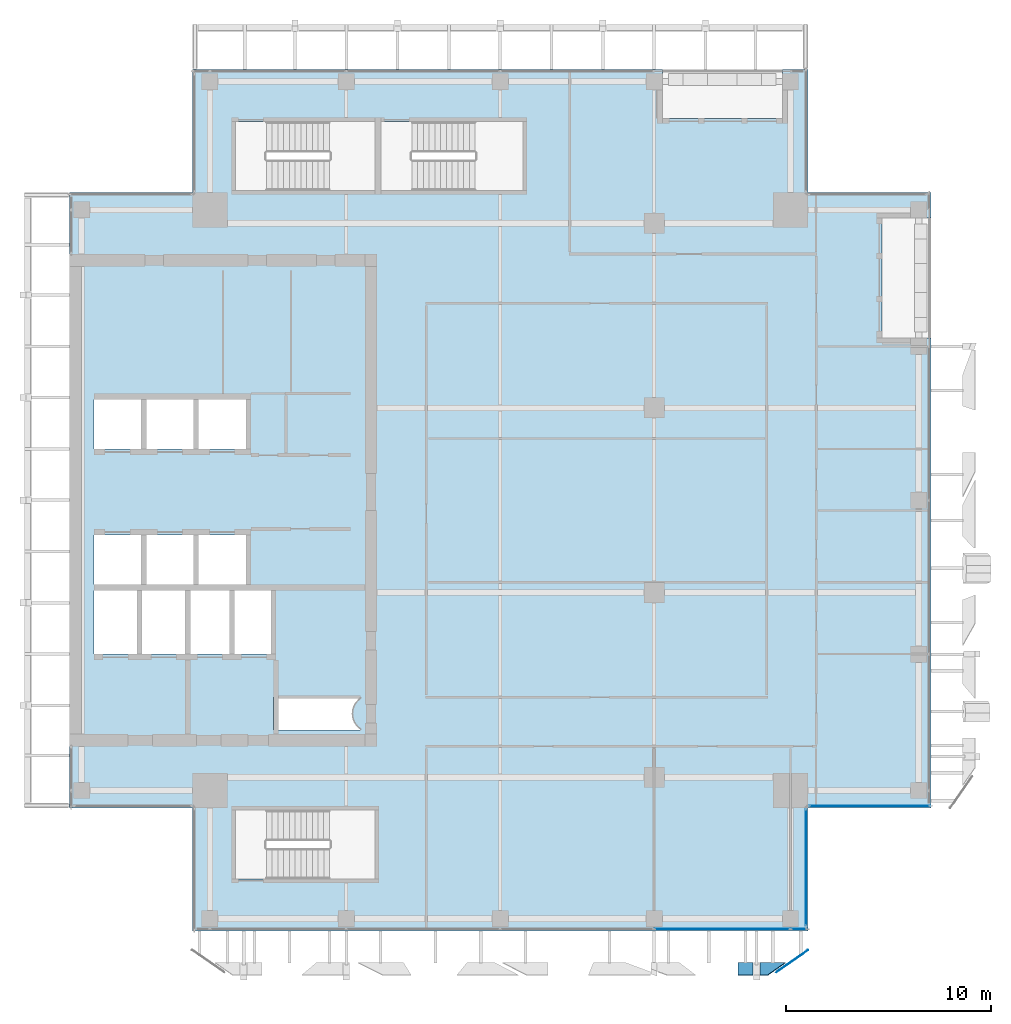
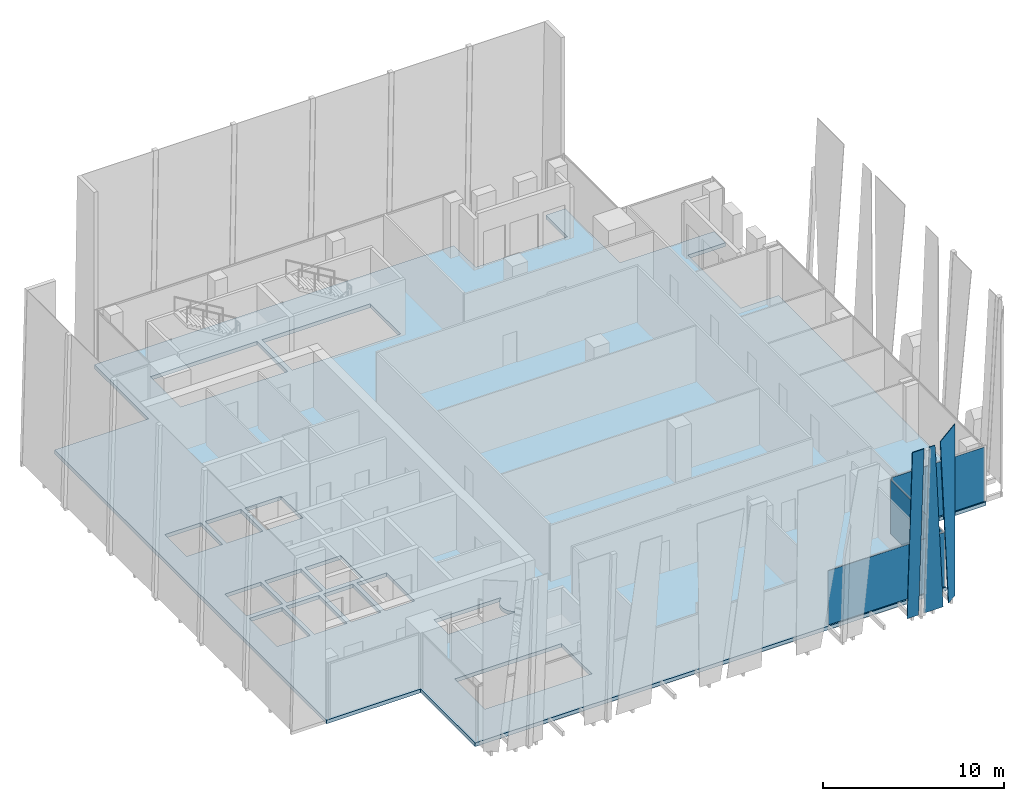
# One storey, part 22 of 33: 7 plates, 1 slab, 3 elements without a shape of their own.
"""IFC4 building model written with IfcOpenShell, lengths in metres."""

from ifc_helpers import new_model, si_unit, direction, frame, origin, origin_2d, place, context, subcontext, project, spatial, polyline, rectangle, outline, extrude, source, transform, mapped, material, layer, layer_set, type_object, element, aggregate, save


model = new_model("IFC4")

# Units and contexts
model_context = context("Model", 3, precision=1e-05, world=origin(), true_north=direction((0.0, 1.0)))
body_context = subcontext(model_context, "Body", "Model", "MODEL_VIEW")
ifc_project = project(units=[si_unit("LENGTHUNIT", "METRE"), si_unit("AREAUNIT", "SQUARE_METRE"), si_unit("VOLUMEUNIT", "CUBIC_METRE"), si_unit("PLANEANGLEUNIT", "RADIAN"), si_unit("MASSUNIT", "GRAM", prefix="KILO")], contexts=[model_context])

# Site, building, storey
site_placement = place(None, origin())
site = spatial("IfcSite", under=ifc_project, at=site_placement, CompositionType="ELEMENT")
building_placement = place(site_placement, origin())
building = spatial("IfcBuilding", under=site, at=building_placement, Name="Khomas Fold Tower", CompositionType="ELEMENT")
storey_placement = place(building_placement, frame((0.0, 0.0, 294.199951171875)))
storey = spatial("IfcBuildingStorey", under=building, at=storey_placement, Name="L66", CompositionType="ELEMENT", Elevation=294.199951171875)

# Plates
ifc_material_1 = material(Name="Clear laminated glass", Category="glass")
ifc_layer_1 = layer(ifc_material_1, 0.0400390625)
ifc_layer_set_1 = layer_set([ifc_layer_1], Name="Clear laminated glass")
plate_type_1 = type_object("IfcPlateType", Name="SK-Clear laminated glass leaf", PredefinedType="SHEET", material=ifc_layer_set_1)
plate_1_placement = place(storey_placement, frame((38.60009765625, 4.47119140625, 0.0), z_axis=(0.0, 0.99862882819, 0.052349436554), x_axis=(0.0, -0.052349436554, 0.99862882819)))
element("IfcPlate", 1, at=plate_1_placement, inside=storey, type_object=plate_type_1, Name="OUTER SKIN glass L66 SG103-13", PredefinedType="SHEET", context=body_context, shape_type="SweptSolid", body=[
    extrude(outline(polyline([(0.0, 0.0), (11.565907674683308, 0.0), (11.565907674683308, 0.72998046875), (0.0, 0.72998046875), (0.0, 0.0)])), origin(), (0.0, 0.0, -1.0), 0.0400390625),
])
plate_2_placement = place(storey_placement, frame((40.8994140625, 4.47119140625, 0.0), z_axis=(0.0, 0.99862882819, 0.052349436554), x_axis=(-1.0, 0.0, 0.0)))
element("IfcPlate", 2, at=plate_2_placement, inside=storey, type_object=plate_type_1, Name="OUTER SKIN glass L66 SG104-15", PredefinedType="SHEET", context=body_context, shape_type="SweptSolid", body=[
    extrude(outline(polyline([(0.0, 0.0), (1.2294921875, 0.0), (1.2294921875, 11.56590767468331), (0.8662109375, 11.56590767468331), (0.0, 0.0)])), origin(), (0.0, 0.0, -1.0), 0.0400390625),
])
plate_3_placement = place(storey_placement, frame((41.300537109375, 4.611328125, 0.0), z_axis=(-0.572833675815, 0.819671629274, 3.92905e-06), x_axis=(-0.074686548998, -0.052200029344, 0.995839884889)))
element("IfcPlate", 3, at=plate_3_placement, inside=storey, type_object=plate_type_1, Name="OUTER SKIN glass L66 SG104-16", PredefinedType="SHEET", context=body_context, shape_type="SweptSolid", body=[
    extrude(outline(polyline([(0.0, 0.0), (11.598299087602607, 0.0), (11.424245042132409, 1.9022084899990839), (-0.07775425332686273, 0.8497636518879813), (0.0, 0.0)])), origin(), (0.0, 0.0, -1.0), 0.0400390625),
])

# Slab
ifc_material_2 = material(Name="Concrete C40/50", Category="concrete")
ifc_layer_2 = layer(ifc_material_2, 0.25)
ifc_layer_set_2 = layer_set([ifc_layer_2], Name="Concrete C40/50")
slab_type = type_object("IfcSlabType", Name="RC floor slab 250", PredefinedType="FLOOR", material=ifc_layer_set_2)
shared_shape_1 = source(origin(), body_context, "Body", "SweptSolid", [
    extrude(outline(polyline([(6.0, 12.0), (12.0, 12.0), (12.0, 6.0), (42.0, 6.0), (42.0, 12.0), (48.0, 12.0), (48.0, 34.89990234375), (45.60009765625, 34.89990234375), (45.60009765625, 40.75), (48.0, 40.75), (48.0, 42.0), (42.0, 42.0), (42.0, 48.0), (40.75, 48.0), (40.75, 45.60009765625), (34.89990234375, 45.60009765625), (34.89990234375, 48.0), (12.0, 48.0), (12.0, 42.0), (6.0, 42.0), (6.0, 12.0)]), holes=[polyline([(7.199951171875, 19.5), (7.199951171875, 22.60009765625), (9.300048828125, 22.60009765625), (9.300048828125, 19.5), (7.199951171875, 19.5)]), polyline([(7.199951171875, 22.89990234375), (7.199951171875, 25.300048828125), (9.5, 25.300048828125), (9.5, 22.89990234375), (7.199951171875, 22.89990234375)]), polyline([(7.199951171875, 29.5), (7.199951171875, 31.89990234375), (9.5, 31.89990234375), (9.5, 29.5), (7.199951171875, 29.5)]), polyline([(9.550048828125, 19.5), (9.550048828125, 22.60009765625), (11.64990234375, 22.60009765625), (11.64990234375, 19.5), (9.550048828125, 19.5)]), polyline([(9.75, 22.89990234375), (9.75, 25.300048828125), (12.050048828125, 25.300048828125), (12.050048828125, 22.89990234375), (9.75, 22.89990234375)]), polyline([(9.75, 29.5), (9.75, 31.89990234375), (12.050048828125, 31.89990234375), (12.050048828125, 29.5), (9.75, 29.5)]), polyline([(11.89990234375, 19.5), (11.89990234375, 22.60009765625), (13.800048828125, 22.60009765625), (13.800048828125, 19.5), (11.89990234375, 19.5)]), polyline([(12.300048828125, 22.89990234375), (12.300048828125, 25.300048828125), (14.60009765625, 25.300048828125), (14.60009765625, 22.89990234375), (12.300048828125, 22.89990234375)]), polyline([(12.300048828125, 29.5), (12.300048828125, 31.89990234375), (14.60009765625, 31.89990234375), (14.60009765625, 29.5), (12.300048828125, 29.5)]), polyline([(14.050048828125, 19.5), (14.050048828125, 22.60009765625), (15.949951171875, 22.60009765625), (15.949951171875, 19.5), (14.050048828125, 19.5)]), polyline([(14.10009765625, 8.550048828125), (14.10009765625, 11.89990234375), (20.89990234375, 11.89990234375), (20.89990234375, 8.550048828125), (14.10009765625, 8.550048828125)]), polyline([(14.10009765625, 42.10009765625), (14.10009765625, 45.449951171875), (20.89990234375, 45.449951171875), (20.89990234375, 42.10009765625), (14.10009765625, 42.10009765625)]), polyline([(15.949951171875, 15.800048828125), (15.949951171875, 17.39990234375), (20.199951171875, 17.39990234375), (20.199951171875, 17.348388671875), (20.199951171875, 17.348388671875), (20.12890625, 17.295654296875), (20.063720703125, 17.236328125), (20.00439453125, 17.1708984375), (19.95166015625, 17.10009765625), (19.90625, 17.0244140625), (19.868408203125, 16.9443359375), (19.8388671875, 16.861328125), (19.8173828125, 16.775634765625), (19.80419921875, 16.688232421875), (19.800048828125, 16.60009765625), (19.80419921875, 16.51171875), (19.8173828125, 16.42431640625), (19.8388671875, 16.338623046875), (19.868408203125, 16.255615234375), (19.90625, 16.17578125), (19.95166015625, 16.10009765625), (20.00439453125, 16.029052734375), (20.063720703125, 15.963623046875), (20.12890625, 15.904296875), (20.199951171875, 15.851806640625), (20.199951171875, 15.851806640625), (20.199951171875, 15.800048828125), (15.949951171875, 15.800048828125)]), polyline([(21.199951171875, 42.10009765625), (21.199951171875, 45.449951171875), (28.10009765625, 45.449951171875), (28.10009765625, 42.10009765625), (21.199951171875, 42.10009765625)])]), origin(), (0.0, 0.0, 1.0), 0.25),
])
slab_placement = place(storey_placement, frame((0.0, 0.0, -0.25)))
element("IfcSlab", 4, at=slab_placement, inside=storey, type_object=slab_type, Name="S-L66", PredefinedType="FLOOR", context=body_context, shape_type="MappedRepresentation", body=[
    mapped(shared_shape_1, transform((0.0, 0.0, 0.0))),
])

# Curtain wall, plates
ifc_material_3 = material(Name="Aluminium framed double glazing", Category="aluminium")
curtain_wall_type = type_object("IfcCurtainWallType", Name="SK-Unitised clear-glass wall, upper floors CW3", PredefinedType="NOTDEFINED", material=ifc_material_3)
curtain_wall_1_placement = place(storey_placement, origin())
curtain_wall_1 = element("IfcCurtainWall", 5, at=curtain_wall_1_placement, inside=storey, type_object=curtain_wall_type, Name="CW3 run L66 00-0", PredefinedType="NOTDEFINED")
ifc_material_4 = material(Name="Clear double glazed unit")
ifc_layer_3 = layer(ifc_material_4, 0.028076171875)
ifc_layer_set_3 = layer_set([ifc_layer_3], Name="Clear double glazed unit")
plate_type_2 = type_object("IfcPlateType", Name="SK-Unitised clear-glass wall, upper floors glass panel CW3-P", PredefinedType="CURTAIN_PANEL", material=ifc_layer_set_3)
shared_shape_2 = source(origin(), body_context, "Body", "SweptSolid", [
    extrude(rectangle(XDim=6.60009765625, YDim=0.028076171875, at=origin_2d()), origin(), (0.0, 0.0, 1.0), 3.64990234375),
])
plate_4_placement = place(storey_placement, frame((37.824951171875, 6.10009765625, 0.0), z_axis=(0.0, 0.0, 1.0), x_axis=(1.0, 0.0, 0.0)))
plate_4 = element("IfcPlate", 6, at=plate_4_placement, type_object=plate_type_2, Name="CW3 glass panel 5", PredefinedType="CURTAIN_PANEL", context=body_context, shape_type="MappedRepresentation", body=[
    mapped(shared_shape_2, transform((0.0, 0.0, 0.0))),
])
shared_shape_3 = source(origin(), body_context, "Body", "SweptSolid", [
    extrude(rectangle(XDim=0.77490234375, YDim=0.028076171875, at=origin_2d()), origin(), (0.0, 0.0, 1.0), 3.64990234375),
])
plate_5_placement = place(storey_placement, frame((41.5625, 6.10009765625, 0.0), z_axis=(0.0, 0.0, 1.0), x_axis=(1.0, 0.0, 0.0)))
plate_5 = element("IfcPlate", 7, at=plate_5_placement, type_object=plate_type_2, Name="CW3 glass panel 6", PredefinedType="CURTAIN_PANEL", context=body_context, shape_type="MappedRepresentation", body=[
    mapped(shared_shape_3, transform((0.0, 0.0, 0.0))),
])
aggregate(curtain_wall_1, [plate_4, plate_5])

# Curtain wall, plate
curtain_wall_2_placement = place(storey_placement, origin())
curtain_wall_2 = element("IfcCurtainWall", 8, at=curtain_wall_2_placement, inside=storey, type_object=curtain_wall_type, Name="CW3 corner return L66 01", PredefinedType="NOTDEFINED")
shared_shape_4 = source(origin(), body_context, "Body", "SweptSolid", [
    extrude(rectangle(XDim=5.699951171875, YDim=0.028076171875, at=origin_2d()), origin(), (0.0, 0.0, 1.0), 3.64990234375),
])
plate_6_placement = place(storey_placement, frame((41.89990234375, 9.10009765625, 0.0), z_axis=(0.0, 0.0, 1.0), x_axis=(0.0, 1.0, 0.0)))
plate_6 = element("IfcPlate", 9, at=plate_6_placement, type_object=plate_type_2, Name="CW3 glass panel 1", PredefinedType="CURTAIN_PANEL", context=body_context, shape_type="MappedRepresentation", body=[
    mapped(shared_shape_4, transform((0.0, 0.0, 0.0))),
])
aggregate(curtain_wall_2, [plate_6])

curtain_wall_3_placement = place(storey_placement, origin())
curtain_wall_3 = element("IfcCurtainWall", 10, at=curtain_wall_3_placement, inside=storey, type_object=curtain_wall_type, Name="CW3 corner return L66 02", PredefinedType="NOTDEFINED")
shared_shape_5 = source(origin(), body_context, "Body", "SweptSolid", [
    extrude(rectangle(XDim=5.89990234375, YDim=0.028076171875, at=origin_2d()), origin(), (0.0, 0.0, 1.0), 3.64990234375),
])
plate_7_placement = place(storey_placement, frame((45.0, 12.10009765625, 0.0), z_axis=(0.0, 0.0, 1.0), x_axis=(1.0, 0.0, 0.0)))
plate_7 = element("IfcPlate", 11, at=plate_7_placement, type_object=plate_type_2, Name="CW3 glass panel 1", PredefinedType="CURTAIN_PANEL", context=body_context, shape_type="MappedRepresentation", body=[
    mapped(shared_shape_5, transform((0.0, 0.0, 0.0))),
])
aggregate(curtain_wall_3, [plate_7])

save(model, "model.ifc")
